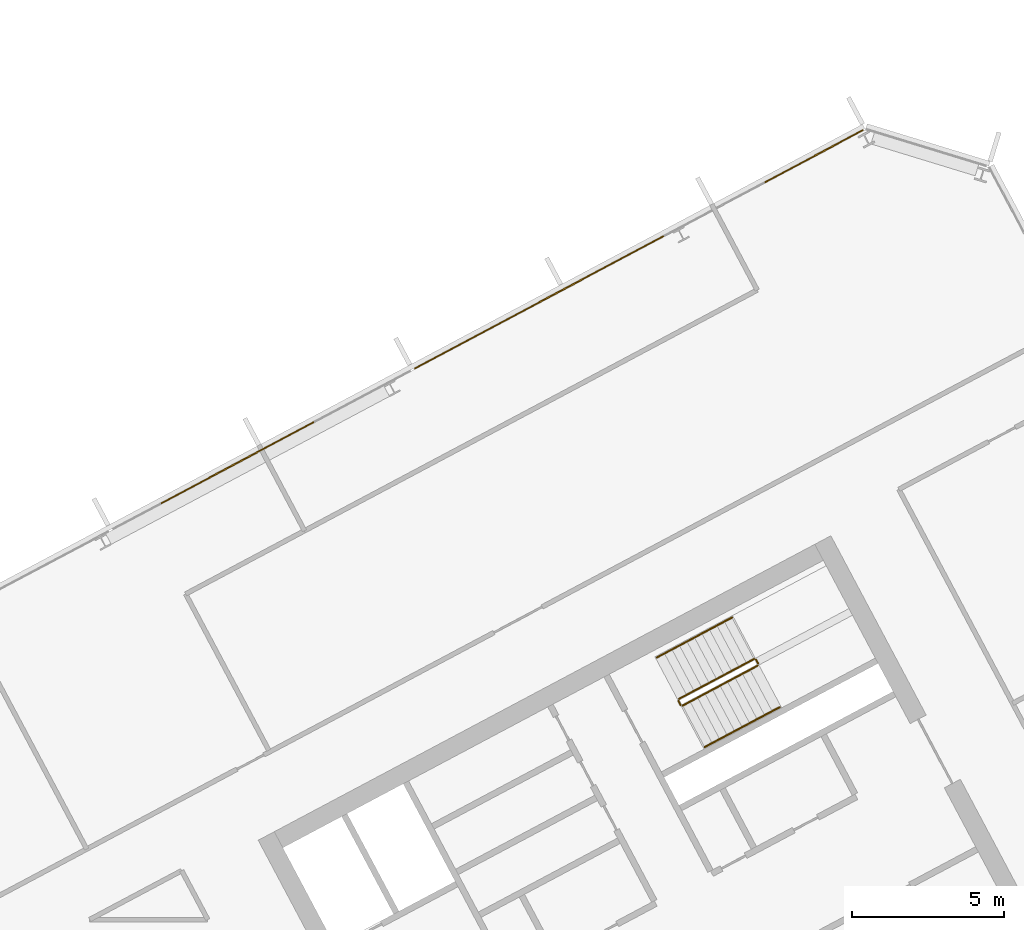
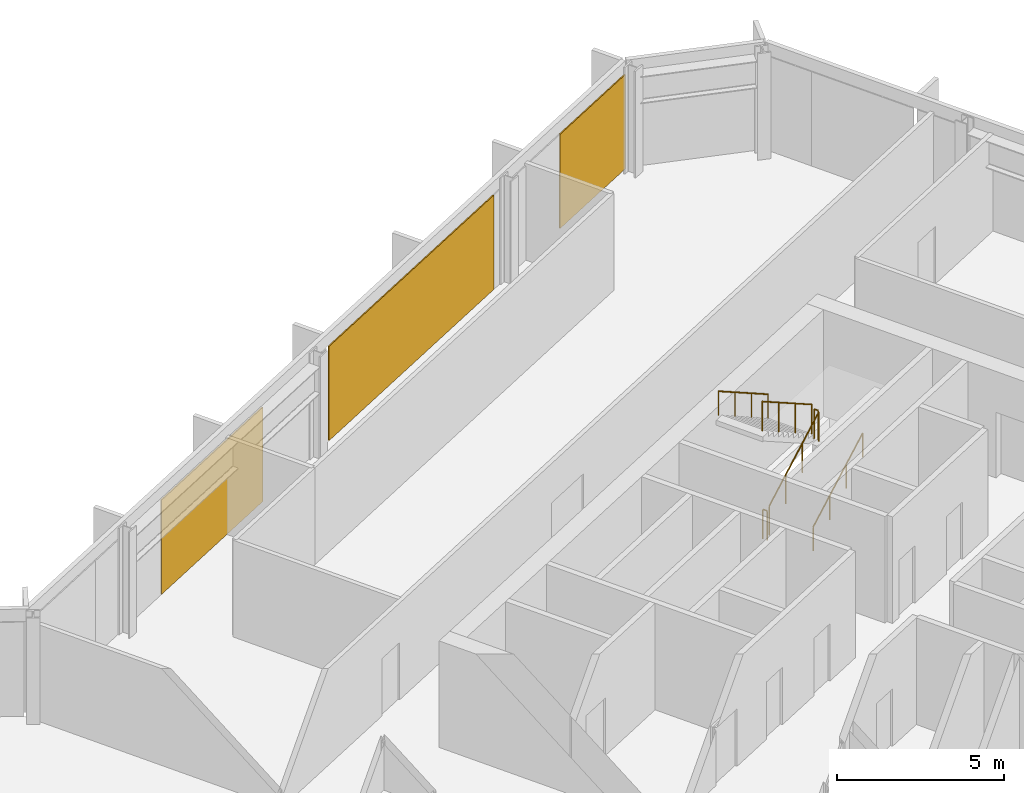
# One storey, part 26 of 27: 6 railings, 3 coverings, 1 element without a shape of its own.
"""IFC4 building model written with IfcOpenShell, lengths in metres."""

from ifc_helpers import new_model, si_unit, direction, frame, origin, origin_2d, place, context, subcontext, project, spatial, polyline, rectangle, outline, extrude, material, layer, layer_set, type_object, element, aggregate, save


model = new_model("IFC4")

# Units and contexts
model_context = context("Model", 3, precision=1e-05, world=origin(), true_north=direction((0.0, 1.0)))
body_context = subcontext(model_context, "Body", "Model", "MODEL_VIEW")
ifc_project = project(units=[si_unit("LENGTHUNIT", "METRE"), si_unit("AREAUNIT", "SQUARE_METRE"), si_unit("VOLUMEUNIT", "CUBIC_METRE"), si_unit("PLANEANGLEUNIT", "RADIAN"), si_unit("MASSUNIT", "GRAM", prefix="KILO")], contexts=[model_context])

# Site, building, storey
site_placement = place(None, origin())
site = spatial("IfcSite", under=ifc_project, at=site_placement, CompositionType="ELEMENT")
building_placement = place(site_placement, origin())
building = spatial("IfcBuilding", under=site, at=building_placement, Name="Cormorant Relay Tower", CompositionType="ELEMENT")
storey_placement = place(building_placement, frame((0.0, 0.0, 216.89990234375)))
storey = spatial("IfcBuildingStorey", under=building, at=storey_placement, Name="L47", CompositionType="ELEMENT", Elevation=216.89990234375)

# Curtain wall, coverings
ifc_material_1 = material(Name="Aluminium 6063-T6 anodised bronze", Category="aluminium")
ifc_layer_1 = layer(ifc_material_1, 0.199951171875)
ifc_layer_set_1 = layer_set([ifc_layer_1], Name="CW1 unitised bronze curtain wall with vertical fins")
curtain_wall_type = type_object("IfcCurtainWallType", Name="CW1 unitised bronze curtain wall with vertical fins", PredefinedType="NOTDEFINED", material=ifc_layer_set_1)
curtain_wall_placement = place(storey_placement, origin())
curtain_wall = element("IfcCurtainWall", 1, at=curtain_wall_placement, inside=storey, type_object=curtain_wall_type, Name="CW1 curtain wall 8", PredefinedType="NOTDEFINED")
ifc_material_2 = material(Name="Pale bronze anodised aluminium insulated panel", Category="aluminium")
ifc_layer_2 = layer(ifc_material_2, 0.0400390625)
ifc_layer_set_2 = layer_set([ifc_layer_2], Name="CW1 pale bronze insulated panel 40")
covering_type = type_object("IfcCoveringType", Name="CW1 pale bronze insulated panel 40", PredefinedType="CLADDING", material=ifc_layer_set_2)
covering_1_placement = place(storey_placement, frame((28.16943359375, 38.78466796875, 0.0), z_axis=(0.0, 0.0, 1.0), x_axis=(-0.882947592859, -0.469471562786, 0.0)))
covering_1 = element("IfcCovering", 2, at=covering_1_placement, type_object=covering_type, Name="CW1 panel S00", PredefinedType="CLADDING", context=body_context, shape_type="SweptSolid", body=[
    extrude(rectangle(XDim=3.68896484375, YDim=0.0400390625, at=origin_2d()), origin(), (0.0, 0.0, 1.0), 3.449951171875),
])
covering_2_placement = place(storey_placement, frame((19.11181640625, 33.968505859375, 0.0), z_axis=(0.0, 0.0, 1.0), x_axis=(-0.882947592859, -0.469471562786, 0.0)))
covering_2 = element("IfcCovering", 3, at=covering_2_placement, type_object=covering_type, Name="CW1 panel S03", PredefinedType="CLADDING", context=body_context, shape_type="SweptSolid", body=[
    extrude(rectangle(XDim=9.327880859375, YDim=0.0400390625, at=origin_2d()), origin(), (0.0, 0.0, 1.0), 3.449951171875),
])
covering_3_placement = place(storey_placement, frame((9.15380859375, 28.673828125, 0.0), z_axis=(0.0, 0.0, 1.0), x_axis=(-0.882947592859, -0.469471562786, 0.0)))
covering_3 = element("IfcCovering", 4, at=covering_3_placement, type_object=covering_type, Name="CW1 panel S05", PredefinedType="CLADDING", context=body_context, shape_type="SweptSolid", body=[
    extrude(rectangle(XDim=5.72802734375, YDim=0.0400390625, at=origin_2d()), origin(), (0.0, 0.0, 1.0), 3.449951171875),
])
aggregate(curtain_wall, [covering_1, covering_2, covering_3])

# Railings
ifc_material_3 = material(Name="Steel ASTM A572 Grade 50 (Fy 345 MPa)", Category="steel")
railing_type_1 = type_object("IfcRailingType", Name="Stair guard 1100", PredefinedType="GUARDRAIL", material=ifc_material_3)
railing_1_placement = place(storey_placement, frame((23.8408203125, 20.6611328125, 0.177490234375)))
element("IfcRailing", 5, at=railing_1_placement, inside=storey, type_object=railing_type_1, Name="L47 B2 stair guard 1", PredefinedType="GUARDRAIL", context=body_context, shape_type="SweptSolid", body=[
    extrude(outline(polyline([(0.022216796875, 0.00927734375), (0.00927734375, 0.022216796875), (-0.00927734375, 0.022216796875), (-0.022216796875, 0.00927734375), (-0.022216796875, -0.00927734375), (-0.00927734375, -0.022216796875), (0.00927734375, -0.022216796875), (0.022216796875, -0.00927734375), (0.022216796875, 0.00927734375)])), frame((0.0, 0.0, 1.076171875), z_axis=(0.746033882577, 0.396627473466, 0.534901947407), x_axis=(-0.469429322983, 0.882970050864, 0.0)), (0.0, 0.0, 1.0), 3.31396484375),
    extrude(outline(polyline([(0.019287109375, 0.008056640625), (0.008056640625, 0.019287109375), (-0.008056640625, 0.019287109375), (-0.019287109375, 0.008056640625), (-0.019287109375, -0.008056640625), (-0.008056640625, -0.019287109375), (0.008056640625, -0.019287109375), (0.019287109375, -0.008056640625), (0.019287109375, 0.008056640625)])), origin(), (0.0, 0.0, 1.0), 1.052001953125),
    extrude(outline(polyline([(0.019287109375, 0.008056640625), (0.008056640625, 0.019287109375), (-0.008056640625, 0.019287109375), (-0.019287109375, 0.008056640625), (-0.019287109375, -0.008056640625), (-0.008056640625, -0.019287109375), (0.008056640625, -0.019287109375), (0.019287109375, -0.008056640625), (0.019287109375, 0.008056640625)])), frame((0.82421875, 0.438232421875, 0.5908203125)), (0.0, 0.0, 1.0), 1.052001953125),
    extrude(outline(polyline([(0.019287109375, 0.008056640625), (0.008056640625, 0.019287109375), (-0.008056640625, 0.019287109375), (-0.019287109375, 0.008056640625), (-0.019287109375, -0.008056640625), (-0.008056640625, -0.019287109375), (0.008056640625, -0.019287109375), (0.019287109375, -0.008056640625), (0.019287109375, 0.008056640625)])), frame((1.648193359375, 0.876220703125, 1.181884765625)), (0.0, 0.0, 1.0), 1.052001953125),
    extrude(outline(polyline([(0.019287109375, 0.008056640625), (0.008056640625, 0.019287109375), (-0.008056640625, 0.019287109375), (-0.019287109375, 0.008056640625), (-0.019287109375, -0.008056640625), (-0.008056640625, -0.019287109375), (0.008056640625, -0.019287109375), (0.019287109375, -0.008056640625), (0.019287109375, 0.008056640625)])), frame((2.472412109375, 1.314453125, 1.772705078125)), (0.0, 0.0, 1.0), 1.052001953125),
])
railing_2_placement = place(storey_placement, frame((26.333740234375, 22.043212890625, 1.9501953125)))
element("IfcRailing", 6, at=railing_2_placement, inside=storey, type_object=railing_type_1, Name="L47 B2 stair guard 2", PredefinedType="GUARDRAIL", context=body_context, shape_type="SweptSolid", body=[
    extrude(outline(polyline([(0.022216796875, 0.00927734375), (0.00927734375, 0.022216796875), (-0.00927734375, 0.022216796875), (-0.022216796875, 0.00927734375), (-0.022216796875, -0.00927734375), (-0.00927734375, -0.022216796875), (0.00927734375, -0.022216796875), (0.022216796875, -0.00927734375), (0.022216796875, 0.00927734375)])), frame((0.0, 0.0, 1.076171875), z_axis=(-0.469234640946, 0.883073525669, 0.0), x_axis=(-0.883073525669, -0.469234640946, 0.0)), (0.0, 0.0, 1.0), 0.14990234375),
    extrude(outline(polyline([(0.019287109375, 0.008056640625), (0.008056640625, 0.019287109375), (-0.008056640625, 0.019287109375), (-0.019287109375, 0.008056640625), (-0.019287109375, -0.008056640625), (-0.008056640625, -0.019287109375), (0.008056640625, -0.019287109375), (0.019287109375, -0.008056640625), (0.019287109375, 0.008056640625)])), origin(), (0.0, 0.0, 1.0), 1.052001953125),
    extrude(outline(polyline([(0.019287109375, 0.008056640625), (0.008056640625, 0.019287109375), (-0.008056640625, 0.019287109375), (-0.019287109375, 0.008056640625), (-0.019287109375, -0.008056640625), (-0.008056640625, -0.019287109375), (0.008056640625, -0.019287109375), (0.019287109375, -0.008056640625), (0.019287109375, 0.008056640625)])), frame((-0.0703125, 0.13232421875, 0.0)), (0.0, 0.0, 1.0), 1.052001953125),
])
railing_3_placement = place(storey_placement, frame((26.19580078125, 22.1962890625, 2.12744140625)))
element("IfcRailing", 7, at=railing_3_placement, inside=storey, type_object=railing_type_1, Name="L47 B2 stair guard 3", PredefinedType="GUARDRAIL", context=body_context, shape_type="SweptSolid", body=[
    extrude(outline(polyline([(0.022216796875, 0.00927734375), (0.00927734375, 0.022216796875), (-0.00927734375, 0.022216796875), (-0.022216796875, 0.00927734375), (-0.022216796875, -0.00927734375), (-0.00927734375, -0.022216796875), (0.00927734375, -0.022216796875), (0.022216796875, -0.00927734375), (0.022216796875, 0.00927734375)])), frame((0.0, 0.0, 1.076171875), z_axis=(-0.746033882577, -0.396627473466, 0.534901947407), x_axis=(0.469429322983, -0.882970050864, 0.0)), (0.0, 0.0, 1.0), 3.31396484375),
    extrude(outline(polyline([(0.019287109375, 0.008056640625), (0.008056640625, 0.019287109375), (-0.008056640625, 0.019287109375), (-0.019287109375, 0.008056640625), (-0.019287109375, -0.008056640625), (-0.008056640625, -0.019287109375), (0.008056640625, -0.019287109375), (0.019287109375, -0.008056640625), (0.019287109375, 0.008056640625)])), origin(), (0.0, 0.0, 1.0), 1.052001953125),
    extrude(outline(polyline([(0.019287109375, 0.008056640625), (0.008056640625, 0.019287109375), (-0.008056640625, 0.019287109375), (-0.019287109375, 0.008056640625), (-0.019287109375, -0.008056640625), (-0.008056640625, -0.019287109375), (0.008056640625, -0.019287109375), (0.019287109375, -0.008056640625), (0.019287109375, 0.008056640625)])), frame((-0.82421875, -0.438232421875, 0.5908203125)), (0.0, 0.0, 1.0), 1.052001953125),
    extrude(outline(polyline([(0.019287109375, 0.008056640625), (0.008056640625, 0.019287109375), (-0.008056640625, 0.019287109375), (-0.019287109375, 0.008056640625), (-0.019287109375, -0.008056640625), (-0.008056640625, -0.019287109375), (0.008056640625, -0.019287109375), (0.019287109375, -0.008056640625), (0.019287109375, 0.008056640625)])), frame((-1.648193359375, -0.876220703125, 1.181884765625)), (0.0, 0.0, 1.0), 1.052001953125),
    extrude(outline(polyline([(0.019287109375, 0.008056640625), (0.008056640625, 0.019287109375), (-0.008056640625, 0.019287109375), (-0.019287109375, 0.008056640625), (-0.019287109375, -0.008056640625), (-0.008056640625, -0.019287109375), (0.008056640625, -0.019287109375), (0.019287109375, -0.008056640625), (0.019287109375, 0.008056640625)])), frame((-2.472412109375, -1.314453125, 1.772705078125)), (0.0, 0.0, 1.0), 1.052001953125),
])
railing_4_placement = place(storey_placement, frame((23.773193359375, 20.681640625, 0.0)))
element("IfcRailing", 8, at=railing_4_placement, inside=storey, type_object=railing_type_1, Name="L47 B2 stair guard 4", PredefinedType="GUARDRAIL", context=body_context, shape_type="SweptSolid", body=[
    extrude(outline(polyline([(0.022216796875, 0.00927734375), (0.00927734375, 0.022216796875), (-0.00927734375, 0.022216796875), (-0.022216796875, 0.00927734375), (-0.022216796875, -0.00927734375), (-0.00927734375, -0.022216796875), (0.00927734375, -0.022216796875), (0.022216796875, -0.00927734375), (0.022216796875, 0.00927734375)])), frame((0.0, 0.0, 1.076171875), z_axis=(-0.46856034887, 0.8834314911, 0.0), x_axis=(-0.8834314911, -0.46856034887, 0.0)), (0.0, 0.0, 1.0), 0.150146484375),
    extrude(outline(polyline([(0.019287109375, 0.008056640625), (0.008056640625, 0.019287109375), (-0.008056640625, 0.019287109375), (-0.019287109375, 0.008056640625), (-0.019287109375, -0.008056640625), (-0.008056640625, -0.019287109375), (0.008056640625, -0.019287109375), (0.019287109375, -0.008056640625), (0.019287109375, 0.008056640625)])), origin(), (0.0, 0.0, 1.0), 1.052001953125),
    extrude(outline(polyline([(0.019287109375, 0.008056640625), (0.008056640625, 0.019287109375), (-0.008056640625, 0.019287109375), (-0.019287109375, 0.008056640625), (-0.019287109375, -0.008056640625), (-0.008056640625, -0.019287109375), (0.008056640625, -0.019287109375), (0.019287109375, -0.008056640625), (0.019287109375, 0.008056640625)])), frame((-0.0703125, 0.132568359375, 0.0)), (0.0, 0.0, 1.0), 1.052001953125),
])
ifc_material_4 = material(Name="Steel ASTM A572 Grade 50 (Fy 345 MPa)", Category="steel")
railing_type_2 = type_object("IfcRailingType", Name="Stair handrail 900", PredefinedType="HANDRAIL", material=ifc_material_4)
railing_5_placement = place(storey_placement, frame((24.568603515625, 19.29248046875, 0.177490234375)))
element("IfcRailing", 9, at=railing_5_placement, inside=storey, type_object=railing_type_2, Name="L47 B2 stair handrail 1", PredefinedType="HANDRAIL", context=body_context, shape_type="SweptSolid", body=[
    extrude(outline(polyline([(0.022216796875, 0.00927734375), (0.00927734375, 0.022216796875), (-0.00927734375, 0.022216796875), (-0.022216796875, 0.00927734375), (-0.022216796875, -0.00927734375), (-0.00927734375, -0.022216796875), (0.00927734375, -0.022216796875), (0.022216796875, -0.00927734375), (0.022216796875, 0.00927734375)])), frame((0.0, 0.0, 0.8759765625), z_axis=(0.746001213114, 0.396649272309, 0.534931345884), x_axis=(-0.469465464807, 0.882950835185, 0.0)), (0.0, 0.0, 1.0), 3.31396484375),
    extrude(outline(polyline([(0.019287109375, 0.008056640625), (0.008056640625, 0.019287109375), (-0.008056640625, 0.019287109375), (-0.019287109375, 0.008056640625), (-0.019287109375, -0.008056640625), (-0.008056640625, -0.019287109375), (0.008056640625, -0.019287109375), (0.019287109375, -0.008056640625), (0.019287109375, 0.008056640625)])), origin(), (0.0, 0.0, 1.0), 0.851806640625),
    extrude(outline(polyline([(0.019287109375, 0.008056640625), (0.008056640625, 0.019287109375), (-0.008056640625, 0.019287109375), (-0.019287109375, 0.008056640625), (-0.019287109375, -0.008056640625), (-0.008056640625, -0.019287109375), (0.008056640625, -0.019287109375), (0.019287109375, -0.008056640625), (0.019287109375, 0.008056640625)])), frame((0.823974609375, 0.438232421875, 0.5908203125)), (0.0, 0.0, 1.0), 0.851806640625),
    extrude(outline(polyline([(0.019287109375, 0.008056640625), (0.008056640625, 0.019287109375), (-0.008056640625, 0.019287109375), (-0.019287109375, 0.008056640625), (-0.019287109375, -0.008056640625), (-0.008056640625, -0.019287109375), (0.008056640625, -0.019287109375), (0.019287109375, -0.008056640625), (0.019287109375, 0.008056640625)])), frame((1.648193359375, 0.876220703125, 1.181884765625)), (0.0, 0.0, 1.0), 0.851806640625),
    extrude(outline(polyline([(0.019287109375, 0.008056640625), (0.008056640625, 0.019287109375), (-0.008056640625, 0.019287109375), (-0.019287109375, 0.008056640625), (-0.019287109375, -0.008056640625), (-0.008056640625, -0.019287109375), (0.008056640625, -0.019287109375), (0.019287109375, -0.008056640625), (0.019287109375, 0.008056640625)])), frame((2.47216796875, 1.314453125, 1.772705078125)), (0.0, 0.0, 1.0), 0.851806640625),
])
railing_6_placement = place(storey_placement, frame((25.468017578125, 23.56494140625, 2.12744140625)))
element("IfcRailing", 10, at=railing_6_placement, inside=storey, type_object=railing_type_2, Name="L47 B2 stair handrail 2", PredefinedType="HANDRAIL", context=body_context, shape_type="SweptSolid", body=[
    extrude(outline(polyline([(0.022216796875, 0.00927734375), (0.00927734375, 0.022216796875), (-0.00927734375, 0.022216796875), (-0.022216796875, 0.00927734375), (-0.022216796875, -0.00927734375), (-0.00927734375, -0.022216796875), (0.00927734375, -0.022216796875), (0.022216796875, -0.00927734375), (0.022216796875, 0.00927734375)])), frame((0.0, 0.0, 0.8759765625), z_axis=(-0.745979412481, -0.396711350603, 0.534915713414), x_axis=(0.469533439143, -0.882914689835, 0.0)), (0.0, 0.0, 1.0), 3.31396484375),
    extrude(outline(polyline([(0.019287109375, 0.008056640625), (0.008056640625, 0.019287109375), (-0.008056640625, 0.019287109375), (-0.019287109375, 0.008056640625), (-0.019287109375, -0.008056640625), (-0.008056640625, -0.019287109375), (0.008056640625, -0.019287109375), (0.019287109375, -0.008056640625), (0.019287109375, 0.008056640625)])), origin(), (0.0, 0.0, 1.0), 0.851806640625),
    extrude(outline(polyline([(0.019287109375, 0.008056640625), (0.008056640625, 0.019287109375), (-0.008056640625, 0.019287109375), (-0.019287109375, 0.008056640625), (-0.019287109375, -0.008056640625), (-0.008056640625, -0.019287109375), (0.008056640625, -0.019287109375), (0.019287109375, -0.008056640625), (0.019287109375, 0.008056640625)])), frame((-0.823974609375, -0.438232421875, 0.5908203125)), (0.0, 0.0, 1.0), 0.851806640625),
    extrude(outline(polyline([(0.019287109375, 0.008056640625), (0.008056640625, 0.019287109375), (-0.008056640625, 0.019287109375), (-0.019287109375, 0.008056640625), (-0.019287109375, -0.008056640625), (-0.008056640625, -0.019287109375), (0.008056640625, -0.019287109375), (0.019287109375, -0.008056640625), (0.019287109375, 0.008056640625)])), frame((-1.648193359375, -0.87646484375, 1.181884765625)), (0.0, 0.0, 1.0), 0.851806640625),
    extrude(outline(polyline([(0.019287109375, 0.008056640625), (0.008056640625, 0.019287109375), (-0.008056640625, 0.019287109375), (-0.019287109375, 0.008056640625), (-0.019287109375, -0.008056640625), (-0.008056640625, -0.019287109375), (0.008056640625, -0.019287109375), (0.019287109375, -0.008056640625), (0.019287109375, 0.008056640625)])), frame((-2.47216796875, -1.314697265625, 1.772705078125)), (0.0, 0.0, 1.0), 0.851806640625),
])

save(model, "model.ifc")
